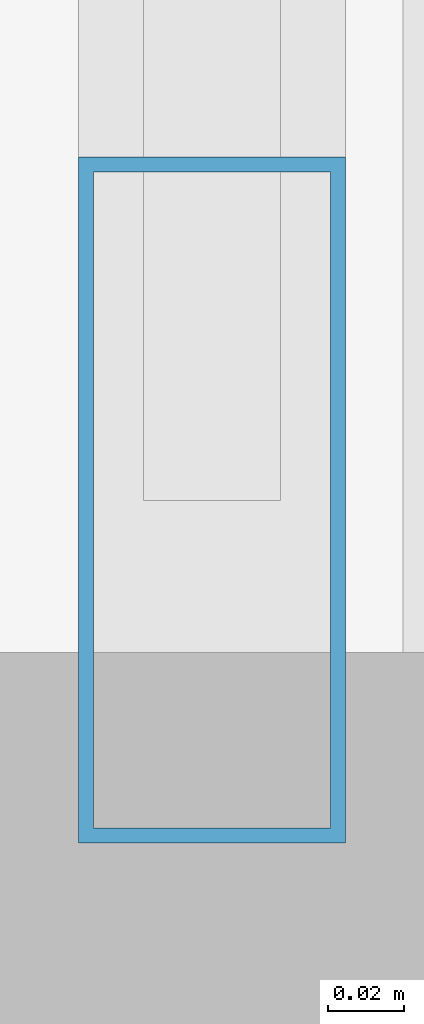
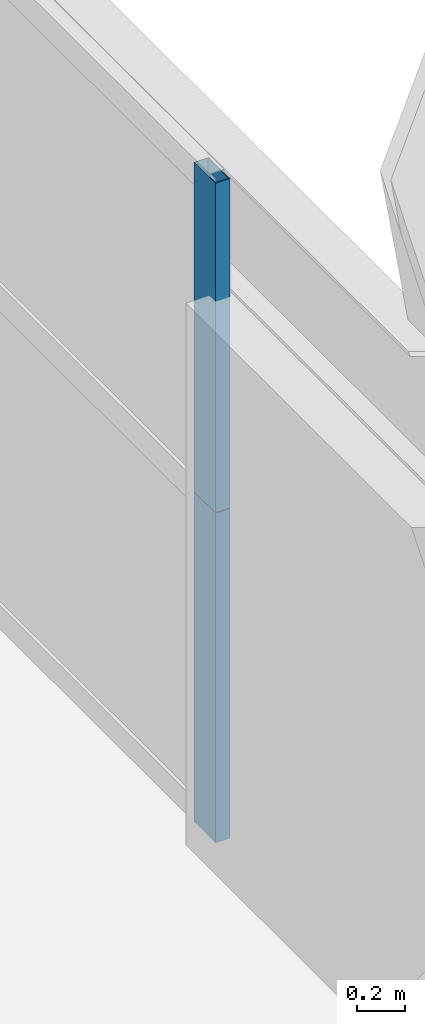
# One storey, part 17 of 43: 2 members, 1 element without a shape of its own.
"""IFC4 building model written with IfcOpenShell, lengths in metres."""

from ifc_helpers import new_model, si_unit, direction, frame, origin, origin_2d, place, context, subcontext, project, spatial, hollow_rectangle, extrude, source, transform, mapped, material, layer, layer_set, material_profile, profile_set, type_object, element, aggregate, save


model = new_model("IFC4")

# Units and contexts
model_context = context("Model", 3, precision=1e-05, world=origin(), true_north=direction((0.0, 1.0)))
body_context = subcontext(model_context, "Body", "Model", "MODEL_VIEW")
ifc_project = project(units=[si_unit("LENGTHUNIT", "METRE"), si_unit("AREAUNIT", "SQUARE_METRE"), si_unit("VOLUMEUNIT", "CUBIC_METRE"), si_unit("PLANEANGLEUNIT", "RADIAN"), si_unit("MASSUNIT", "GRAM", prefix="KILO"), si_unit("THERMODYNAMICTEMPERATUREUNIT", "KELVIN"), si_unit("POWERUNIT", "WATT")], contexts=[model_context])

# Site, building, storey
site_placement = place(None, origin())
site = spatial("IfcSite", under=ifc_project, at=site_placement, CompositionType="ELEMENT")
building_placement = place(site_placement, origin())
building = spatial("IfcBuilding", under=site, at=building_placement, Name="Yuzanri Waterfront Tower", CompositionType="ELEMENT")
storey_placement = place(building_placement, frame((0.0, 0.0, 67.60009765625)))
storey = spatial("IfcBuildingStorey", under=building, at=storey_placement, Name="L17", CompositionType="ELEMENT", Elevation=67.60009765625)

# Curtain wall, members
ifc_material_1 = material(Name="Anodized Architectural Bronze", Category="metal")
ifc_layer = layer(ifc_material_1, 0.159912109375)
ifc_layer_set = layer_set([ifc_layer], Name="Anodized Architectural Bronze")
curtain_wall_type = type_object("IfcCurtainWallType", Name="Anodized Bronze Hotel Lower-Tier Recessed Unitized Curtain Wall 8100", PredefinedType="NOTDEFINED", material=ifc_layer_set)
curtain_wall_placement = place(storey_placement, origin())
curtain_wall = element("IfcCurtainWall", 1, at=curtain_wall_placement, inside=storey, type_object=curtain_wall_type, Name="L17 Curtain Wall CW-L17-EL", PredefinedType="NOTDEFINED")
ifc_material_2 = material(Name="Anodized Architectural Bronze", Category="metal")
ifc_material_profile = material_profile(ifc_material_2, hollow_rectangle(XDim=0.070068359375, YDim=0.179931640625, WallThickness=0.00390625, at=origin_2d()), Name="CWM 70x180")
ifc_profile_set = profile_set([ifc_material_profile], Name="Anodized Architectural Bronze")
member_type = type_object("IfcMemberType", Name="Anodized Bronze Standard Curtain-Wall Mullion 70x180", PredefinedType="MULLION", material=ifc_profile_set)
shared_shape = source(origin(), body_context, "Body", "SweptSolid", [
    extrude(hollow_rectangle(XDim=0.070068359375, YDim=0.179931640625, WallThickness=0.00390625, at=origin_2d()), origin(), (0.0, 0.0, 1.0), 1.68798828125),
])
member_1_placement = place(storey_placement, frame((61.949951171875, 8.090087890625, 0.0), z_axis=(0.0, 0.0, 1.0), x_axis=(1.0, 0.0, 0.0)))
member_1 = element("IfcMember", 2, at=member_1_placement, type_object=member_type, Name="CW-L17-EL Lower Mullion 00", PredefinedType="MULLION", context=body_context, shape_type="MappedRepresentation", body=[
    mapped(shared_shape, transform((0.0, 0.0, 0.0), scale=1.0)),
])
member_2_placement = place(storey_placement, frame((61.949951171875, 8.090087890625, 1.69189453125), z_axis=(0.0, 0.0, 1.0), x_axis=(1.0, 0.0, 0.0)))
member_2 = element("IfcMember", 3, at=member_2_placement, type_object=member_type, Name="CW-L17-EL Upper Mullion 00", PredefinedType="MULLION", context=body_context, shape_type="MappedRepresentation", body=[
    mapped(shared_shape, transform((0.0, 0.0, 0.0), scale=1.0)),
])
aggregate(curtain_wall, [member_1, member_2])

save(model, "model.ifc")
